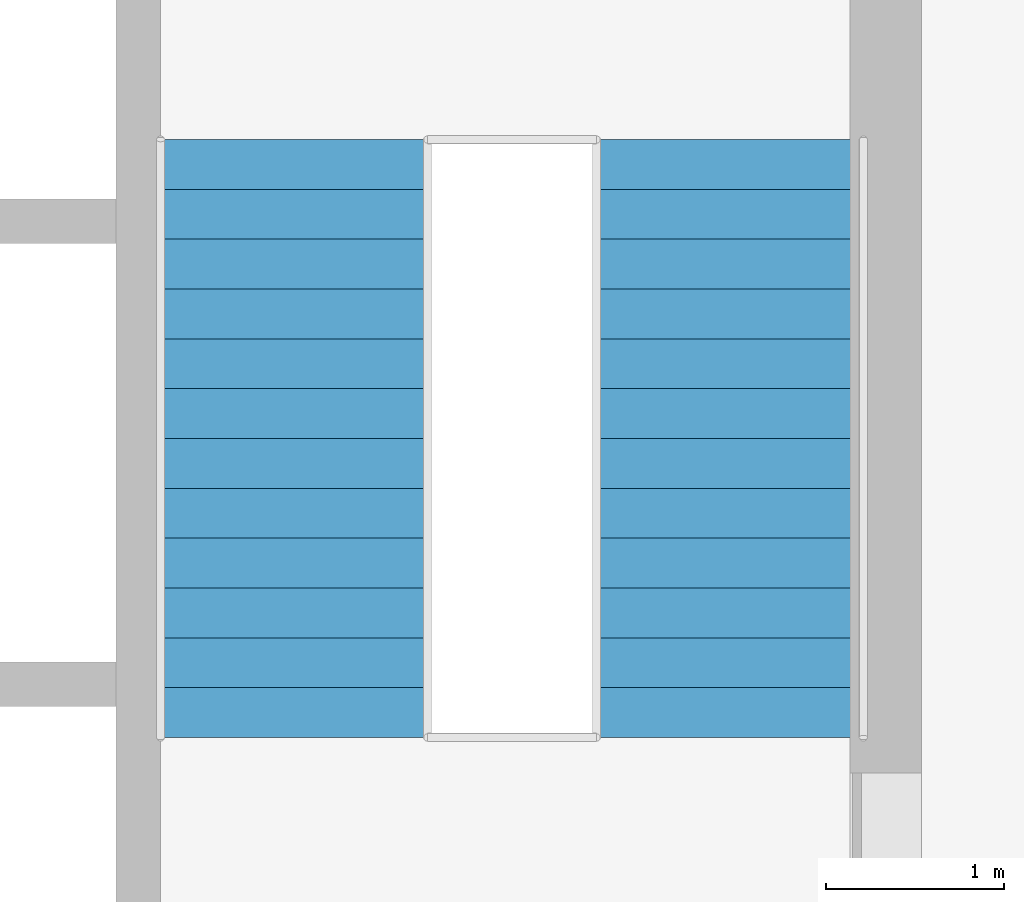
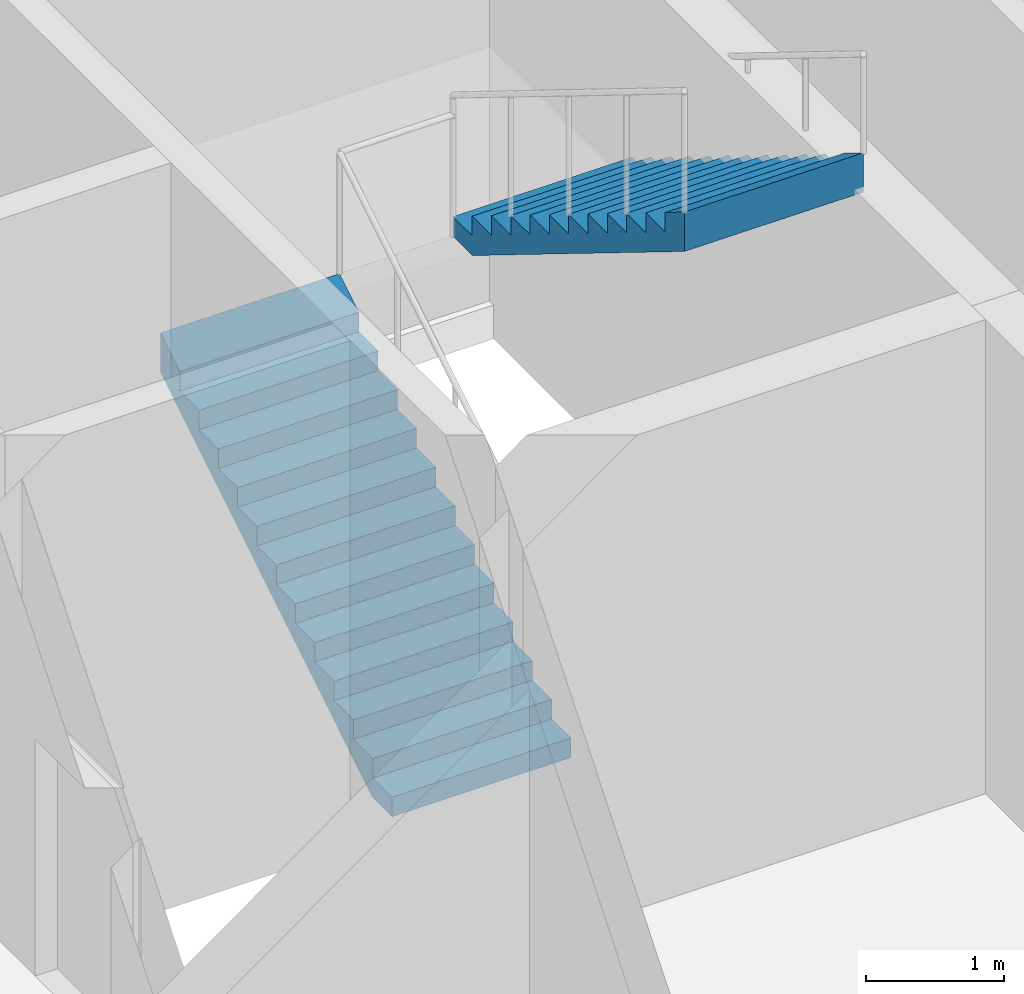
# One storey, part 11 of 13: 2 stair flights, 1 element without a shape of its own.
"""IFC4 building model written with IfcOpenShell, lengths in metres."""

from ifc_helpers import new_model, si_unit, direction, frame, origin, place, context, subcontext, project, spatial, triangles, material, type_object, element, aggregate, save


model = new_model("IFC4")

# Units and contexts
model_context = context("Model", 3, precision=1e-05, world=origin(), true_north=direction((0.0, 1.0)))
body_context = subcontext(model_context, "Body", "Model", "MODEL_VIEW")
ifc_project = project(units=[si_unit("LENGTHUNIT", "METRE"), si_unit("AREAUNIT", "SQUARE_METRE"), si_unit("VOLUMEUNIT", "CUBIC_METRE"), si_unit("PLANEANGLEUNIT", "RADIAN"), si_unit("MASSUNIT", "GRAM", prefix="KILO")], contexts=[model_context])

# Site, building, storey
site_placement = place(None, origin())
site = spatial("IfcSite", under=ifc_project, at=site_placement, CompositionType="ELEMENT")
building_placement = place(site_placement, origin())
building = spatial("IfcBuilding", under=site, at=building_placement, Name="Ludao Terraces", CompositionType="ELEMENT")
storey_placement = place(building_placement, frame((0.0, 0.0, 241.5)))
storey = spatial("IfcBuildingStorey", under=building, at=storey_placement, Name="L66", CompositionType="ELEMENT", Elevation=241.5)

# Stair, stair flights
ifc_material = material(Name="Concrete C40", Category="concrete")
stair_type = type_object("IfcStairType", Name="INT Stair", PredefinedType="HALF_TURN_STAIR", material=ifc_material)
stair_placement = place(storey_placement, origin())
stair = element("IfcStair", 1, at=stair_placement, inside=storey, type_object=stair_type, Name="EXIT STAIR 2", PredefinedType="HALF_TURN_STAIR")
stair_flight_type = type_object("IfcStairFlightType", Name="INT Stair flight", PredefinedType="STRAIGHT", material=ifc_material)
stair_flight_1_placement = place(storey_placement, frame((91.425048828125, 79.0, 0.0), z_axis=(0.0, 0.0, 1.0), x_axis=(0.0, 1.0, 0.0)))
stair_flight_1 = element("IfcStairFlight", 2, at=stair_flight_1_placement, type_object=stair_flight_type, Name="ST2 flight 1", NumberOfRisers=13, NumberOfTreads=12, PredefinedType="STRAIGHT", RiserHeight=0.173077, TreadLength=0.28, context=body_context, shape_type="Tessellation", body=[
    triangles([(0.0, -0.75, 0.0), (0.0, -0.5, 0.0), (0.0, -0.25, 0.0), (0.0, 0.0, 0.0), (0.0, 0.25, 0.0), (0.0, 0.5, 0.0), (0.0, 0.75, 0.0), (0.0, -0.75, 0.173095703125), (0.0, -0.5, 0.173095703125), (0.0, -0.25, 0.173095703125), (0.0, 0.0, 0.173095703125), (0.0, 0.25, 0.173095703125), (0.0, 0.5, 0.173095703125), (0.0, 0.75, 0.173095703125), (0.280029296875, -0.75, 0.173095703125), (0.280029296875, -0.5, 0.173095703125), (0.280029296875, -0.25, 0.173095703125), (0.280029296875, 0.0, 0.173095703125), (0.280029296875, 0.25, 0.173095703125), (0.280029296875, 0.5, 0.173095703125), (0.280029296875, 0.75, 0.173095703125), (0.280029296875, -0.75, 0.34619140625), (0.280029296875, -0.5, 0.34619140625), (0.280029296875, -0.25, 0.34619140625), (0.280029296875, 0.0, 0.34619140625), (0.280029296875, 0.25, 0.34619140625), (0.280029296875, 0.5, 0.34619140625), (0.280029296875, 0.75, 0.34619140625), (0.56005859375, -0.75, 0.34619140625), (0.56005859375, -0.5, 0.34619140625), (0.56005859375, -0.25, 0.34619140625), (0.56005859375, 0.0, 0.34619140625), (0.56005859375, 0.25, 0.34619140625), (0.56005859375, 0.5, 0.34619140625), (0.56005859375, 0.75, 0.34619140625), (0.56005859375, -0.75, 0.519287109375), (0.56005859375, -0.5, 0.519287109375), (0.56005859375, -0.25, 0.519287109375), (0.56005859375, 0.0, 0.519287109375), (0.56005859375, 0.25, 0.519287109375), (0.56005859375, 0.5, 0.519287109375), (0.56005859375, 0.75, 0.519287109375), (0.840087890625, -0.75, 0.519287109375), (0.840087890625, -0.5, 0.519287109375), (0.840087890625, -0.25, 0.519287109375), (0.840087890625, 0.0, 0.519287109375), (0.840087890625, 0.25, 0.519287109375), (0.840087890625, 0.5, 0.519287109375), (0.840087890625, 0.75, 0.519287109375), (0.840087890625, -0.75, 0.6923828125), (0.840087890625, -0.5, 0.6923828125), (0.840087890625, -0.25, 0.6923828125), (0.840087890625, 0.0, 0.6923828125), (0.840087890625, 0.25, 0.6923828125), (0.840087890625, 0.5, 0.6923828125), (0.840087890625, 0.75, 0.6923828125), (1.1201171875, -0.75, 0.6923828125), (1.1201171875, -0.5, 0.6923828125), (1.1201171875, -0.25, 0.6923828125), (1.1201171875, 0.0, 0.6923828125), (1.1201171875, 0.25, 0.6923828125), (1.1201171875, 0.5, 0.6923828125), (1.1201171875, 0.75, 0.6923828125), (1.1201171875, -0.75, 0.865478515625), (1.1201171875, -0.5, 0.865478515625), (1.1201171875, -0.25, 0.865478515625), (1.1201171875, 0.0, 0.865478515625), (1.1201171875, 0.25, 0.865478515625), (1.1201171875, 0.5, 0.865478515625), (1.1201171875, 0.75, 0.865478515625), (1.39990234375, -0.75, 0.865478515625), (1.39990234375, -0.5, 0.865478515625), (1.39990234375, -0.25, 0.865478515625), (1.39990234375, 0.0, 0.865478515625), (1.39990234375, 0.25, 0.865478515625), (1.39990234375, 0.5, 0.865478515625), (1.39990234375, 0.75, 0.865478515625), (1.39990234375, -0.75, 1.03857421875), (1.39990234375, -0.5, 1.03857421875), (1.39990234375, -0.25, 1.03857421875), (1.39990234375, 0.0, 1.03857421875), (1.39990234375, 0.25, 1.03857421875), (1.39990234375, 0.5, 1.03857421875), (1.39990234375, 0.75, 1.03857421875), (1.679931640625, -0.75, 1.03857421875), (1.679931640625, -0.5, 1.03857421875), (1.679931640625, -0.25, 1.03857421875), (1.679931640625, 0.0, 1.03857421875), (1.679931640625, 0.25, 1.03857421875), (1.679931640625, 0.5, 1.03857421875), (1.679931640625, 0.75, 1.03857421875), (1.679931640625, -0.75, 1.21142578125), (1.679931640625, -0.5, 1.21142578125), (1.679931640625, -0.25, 1.21142578125), (1.679931640625, 0.0, 1.21142578125), (1.679931640625, 0.25, 1.21142578125), (1.679931640625, 0.5, 1.21142578125), (1.679931640625, 0.75, 1.21142578125), (1.9599609375, -0.75, 1.21142578125), (1.9599609375, -0.5, 1.21142578125), (1.9599609375, -0.25, 1.21142578125), (1.9599609375, 0.0, 1.21142578125), (1.9599609375, 0.25, 1.21142578125), (1.9599609375, 0.5, 1.21142578125), (1.9599609375, 0.75, 1.21142578125), (1.9599609375, -0.75, 1.384521484375), (1.9599609375, -0.5, 1.384521484375), (1.9599609375, -0.25, 1.384521484375), (1.9599609375, 0.0, 1.384521484375), (1.9599609375, 0.25, 1.384521484375), (1.9599609375, 0.5, 1.384521484375), (1.9599609375, 0.75, 1.384521484375), (2.239990234375, -0.75, 1.384521484375), (2.239990234375, -0.5, 1.384521484375), (2.239990234375, -0.25, 1.384521484375), (2.239990234375, 0.0, 1.384521484375), (2.239990234375, 0.25, 1.384521484375), (2.239990234375, 0.5, 1.384521484375), (2.239990234375, 0.75, 1.384521484375), (2.239990234375, -0.75, 1.5576171875), (2.239990234375, -0.5, 1.5576171875), (2.239990234375, -0.25, 1.5576171875), (2.239990234375, 0.0, 1.5576171875), (2.239990234375, 0.25, 1.5576171875), (2.239990234375, 0.5, 1.5576171875), (2.239990234375, 0.75, 1.5576171875), (2.52001953125, -0.75, 1.5576171875), (2.52001953125, -0.5, 1.5576171875), (2.52001953125, -0.25, 1.5576171875), (2.52001953125, 0.0, 1.5576171875), (2.52001953125, 0.25, 1.5576171875), (2.52001953125, 0.5, 1.5576171875), (2.52001953125, 0.75, 1.5576171875), (2.52001953125, -0.75, 1.730712890625), (2.52001953125, -0.5, 1.730712890625), (2.52001953125, -0.25, 1.730712890625), (2.52001953125, 0.0, 1.730712890625), (2.52001953125, 0.25, 1.730712890625), (2.52001953125, 0.5, 1.730712890625), (2.52001953125, 0.75, 1.730712890625), (2.800048828125, -0.75, 1.730712890625), (2.800048828125, -0.5, 1.730712890625), (2.800048828125, -0.25, 1.730712890625), (2.800048828125, 0.0, 1.730712890625), (2.800048828125, 0.25, 1.730712890625), (2.800048828125, 0.5, 1.730712890625), (2.800048828125, 0.75, 1.730712890625), (2.800048828125, -0.75, 1.90380859375), (2.800048828125, -0.5, 1.90380859375), (2.800048828125, -0.25, 1.90380859375), (2.800048828125, 0.0, 1.90380859375), (2.800048828125, 0.25, 1.90380859375), (2.800048828125, 0.5, 1.90380859375), (2.800048828125, 0.75, 1.90380859375), (3.080078125, -0.75, 1.90380859375), (3.080078125, -0.5, 1.90380859375), (3.080078125, -0.25, 1.90380859375), (3.080078125, 0.0, 1.90380859375), (3.080078125, 0.25, 1.90380859375), (3.080078125, 0.5, 1.90380859375), (3.080078125, 0.75, 1.90380859375), (3.080078125, -0.75, 2.076904296875), (3.080078125, -0.5, 2.076904296875), (3.080078125, -0.25, 2.076904296875), (3.080078125, 0.0, 2.076904296875), (3.080078125, 0.25, 2.076904296875), (3.080078125, 0.5, 2.076904296875), (3.080078125, 0.75, 2.076904296875), (3.360107421875, -0.75, 2.25), (3.360107421875, -0.5, 2.25), (3.360107421875, -0.25, 2.25), (3.360107421875, 0.0, 2.25), (3.360107421875, 0.25, 2.25), (3.360107421875, 0.5, 2.25), (3.360107421875, 0.75, 2.25), (3.360107421875, -0.75, 1.900634765625), (3.360107421875, -0.5, 1.900634765625), (3.360107421875, -0.25, 1.900634765625), (3.360107421875, 0.0, 1.900634765625), (3.360107421875, 0.25, 1.900634765625), (3.360107421875, 0.5, 1.900634765625), (3.360107421875, 0.75, 1.900634765625), (0.28515625, -0.75, 0.0), (0.28515625, -0.5, 0.0), (0.28515625, -0.25, 0.0), (0.28515625, 0.0, 0.0), (0.28515625, 0.25, 0.0), (0.28515625, 0.5, 0.0), (0.28515625, 0.75, 0.0)], [[1, 183, 176], [7, 182, 189], [176, 169, 162], [182, 168, 175], [176, 162, 155], [182, 161, 168], [176, 155, 148], [182, 154, 161], [176, 148, 141], [182, 147, 154], [141, 134, 127], [147, 133, 140], [176, 141, 127], [182, 133, 147], [127, 120, 113], [133, 119, 126], [176, 127, 113], [182, 119, 133], [113, 106, 99], [119, 105, 112], [176, 113, 99], [182, 105, 119], [1, 176, 99], [7, 105, 182], [99, 92, 85], [105, 91, 98], [85, 78, 71], [91, 77, 84], [99, 85, 71], [105, 77, 91], [71, 64, 57], [77, 63, 70], [99, 71, 57], [105, 63, 77], [57, 50, 43], [63, 49, 56], [99, 57, 43], [105, 49, 63], [43, 36, 29], [49, 35, 42], [99, 43, 29], [105, 35, 49], [29, 22, 15], [35, 21, 28], [99, 29, 15], [105, 21, 35], [1, 99, 15], [7, 21, 105], [15, 8, 1], [21, 7, 14], [1, 9, 2], [1, 8, 9], [2, 10, 3], [2, 9, 10], [3, 11, 4], [3, 10, 11], [4, 12, 5], [4, 11, 12], [5, 13, 6], [5, 12, 13], [6, 14, 7], [6, 13, 14], [8, 16, 9], [8, 15, 16], [9, 17, 10], [9, 16, 17], [10, 18, 11], [10, 17, 18], [11, 19, 12], [11, 18, 19], [12, 20, 13], [12, 19, 20], [13, 21, 14], [13, 20, 21], [15, 23, 16], [15, 22, 23], [16, 24, 17], [16, 23, 24], [17, 25, 18], [17, 24, 25], [18, 26, 19], [18, 25, 26], [19, 27, 20], [19, 26, 27], [20, 28, 21], [20, 27, 28], [22, 30, 23], [22, 29, 30], [23, 31, 24], [23, 30, 31], [24, 32, 25], [24, 31, 32], [25, 33, 26], [25, 32, 33], [26, 34, 27], [26, 33, 34], [27, 35, 28], [27, 34, 35], [29, 37, 30], [29, 36, 37], [30, 38, 31], [30, 37, 38], [31, 39, 32], [31, 38, 39], [32, 40, 33], [32, 39, 40], [33, 41, 34], [33, 40, 41], [34, 42, 35], [34, 41, 42], [36, 44, 37], [36, 43, 44], [37, 45, 38], [37, 44, 45], [38, 46, 39], [38, 45, 46], [39, 47, 40], [39, 46, 47], [40, 48, 41], [40, 47, 48], [41, 49, 42], [41, 48, 49], [43, 51, 44], [43, 50, 51], [44, 52, 45], [44, 51, 52], [45, 53, 46], [45, 52, 53], [46, 54, 47], [46, 53, 54], [47, 55, 48], [47, 54, 55], [48, 56, 49], [48, 55, 56], [50, 58, 51], [50, 57, 58], [51, 59, 52], [51, 58, 59], [52, 60, 53], [52, 59, 60], [53, 61, 54], [53, 60, 61], [54, 62, 55], [54, 61, 62], [55, 63, 56], [55, 62, 63], [57, 65, 58], [57, 64, 65], [58, 66, 59], [58, 65, 66], [59, 67, 60], [59, 66, 67], [60, 68, 61], [60, 67, 68], [61, 69, 62], [61, 68, 69], [62, 70, 63], [62, 69, 70], [64, 72, 65], [64, 71, 72], [65, 73, 66], [65, 72, 73], [66, 74, 67], [66, 73, 74], [67, 75, 68], [67, 74, 75], [68, 76, 69], [68, 75, 76], [69, 77, 70], [69, 76, 77], [71, 79, 72], [71, 78, 79], [72, 80, 73], [72, 79, 80], [73, 81, 74], [73, 80, 81], [74, 82, 75], [74, 81, 82], [75, 83, 76], [75, 82, 83], [76, 84, 77], [76, 83, 84], [78, 86, 79], [78, 85, 86], [79, 87, 80], [79, 86, 87], [80, 88, 81], [80, 87, 88], [81, 89, 82], [81, 88, 89], [82, 90, 83], [82, 89, 90], [83, 91, 84], [83, 90, 91], [85, 93, 86], [85, 92, 93], [86, 94, 87], [86, 93, 94], [87, 95, 88], [87, 94, 95], [88, 96, 89], [88, 95, 96], [89, 97, 90], [89, 96, 97], [90, 98, 91], [90, 97, 98], [92, 100, 93], [92, 99, 100], [93, 101, 94], [93, 100, 101], [94, 102, 95], [94, 101, 102], [95, 103, 96], [95, 102, 103], [96, 104, 97], [96, 103, 104], [97, 105, 98], [97, 104, 105], [99, 107, 100], [99, 106, 107], [100, 108, 101], [100, 107, 108], [101, 109, 102], [101, 108, 109], [102, 110, 103], [102, 109, 110], [103, 111, 104], [103, 110, 111], [104, 112, 105], [104, 111, 112], [106, 114, 107], [106, 113, 114], [107, 115, 108], [107, 114, 115], [108, 116, 109], [108, 115, 116], [109, 117, 110], [109, 116, 117], [110, 118, 111], [110, 117, 118], [111, 119, 112], [111, 118, 119], [113, 121, 114], [113, 120, 121], [114, 122, 115], [114, 121, 122], [115, 123, 116], [115, 122, 123], [116, 124, 117], [116, 123, 124], [117, 125, 118], [117, 124, 125], [118, 126, 119], [118, 125, 126], [120, 128, 121], [120, 127, 128], [121, 129, 122], [121, 128, 129], [122, 130, 123], [122, 129, 130], [123, 131, 124], [123, 130, 131], [124, 132, 125], [124, 131, 132], [125, 133, 126], [125, 132, 133], [127, 135, 128], [127, 134, 135], [128, 136, 129], [128, 135, 136], [129, 137, 130], [129, 136, 137], [130, 138, 131], [130, 137, 138], [131, 139, 132], [131, 138, 139], [132, 140, 133], [132, 139, 140], [134, 142, 135], [134, 141, 142], [135, 143, 136], [135, 142, 143], [136, 144, 137], [136, 143, 144], [137, 145, 138], [137, 144, 145], [138, 146, 139], [138, 145, 146], [139, 147, 140], [139, 146, 147], [141, 149, 142], [141, 148, 149], [142, 150, 143], [142, 149, 150], [143, 151, 144], [143, 150, 151], [144, 152, 145], [144, 151, 152], [145, 153, 146], [145, 152, 153], [146, 154, 147], [146, 153, 154], [148, 156, 149], [148, 155, 156], [149, 157, 150], [149, 156, 157], [150, 158, 151], [150, 157, 158], [151, 159, 152], [151, 158, 159], [152, 160, 153], [152, 159, 160], [153, 161, 154], [153, 160, 161], [155, 163, 156], [155, 162, 163], [156, 164, 157], [156, 163, 164], [157, 165, 158], [157, 164, 165], [158, 166, 159], [158, 165, 166], [159, 167, 160], [159, 166, 167], [160, 168, 161], [160, 167, 168], [162, 170, 163], [162, 169, 170], [163, 171, 164], [163, 170, 171], [164, 172, 165], [164, 171, 172], [165, 173, 166], [165, 172, 173], [166, 174, 167], [166, 173, 174], [167, 175, 168], [167, 174, 175], [169, 177, 170], [169, 176, 177], [170, 178, 171], [170, 177, 178], [171, 179, 172], [171, 178, 179], [172, 180, 173], [172, 179, 180], [173, 181, 174], [173, 180, 181], [174, 182, 175], [174, 181, 182], [176, 184, 177], [176, 183, 184], [177, 185, 178], [177, 184, 185], [178, 186, 179], [178, 185, 186], [179, 187, 180], [179, 186, 187], [180, 188, 181], [180, 187, 188], [181, 189, 182], [181, 188, 189], [183, 2, 184], [183, 1, 2], [184, 3, 185], [184, 2, 3], [185, 4, 186], [185, 3, 4], [186, 5, 187], [186, 4, 5], [187, 6, 188], [187, 5, 6], [188, 7, 189], [188, 6, 7]], closed=True),
])
stair_flight_2_placement = place(storey_placement, frame((93.875, 82.360107421875, 2.25), z_axis=(0.0, 0.0, 1.0), x_axis=(0.0, -1.0, 0.0)))
stair_flight_2 = element("IfcStairFlight", 3, at=stair_flight_2_placement, type_object=stair_flight_type, Name="ST2 flight 2", NumberOfRisers=13, NumberOfTreads=12, PredefinedType="STRAIGHT", RiserHeight=0.173077, TreadLength=0.28, context=body_context, shape_type="Tessellation", body=[
    triangles([(0.0, -0.75, 0.0), (0.0, -0.5, 0.0), (0.0, -0.25, 0.0), (0.0, 0.0, 0.0), (0.0, 0.25, 0.0), (0.0, 0.5, 0.0), (0.0, 0.75, 0.0), (0.0, -0.75, 0.173095703125), (0.0, -0.5, 0.173095703125), (0.0, -0.25, 0.173095703125), (0.0, 0.0, 0.173095703125), (0.0, 0.25, 0.173095703125), (0.0, 0.5, 0.173095703125), (0.0, 0.75, 0.173095703125), (0.280029296875, -0.75, 0.173095703125), (0.280029296875, -0.5, 0.173095703125), (0.280029296875, -0.25, 0.173095703125), (0.280029296875, 0.0, 0.173095703125), (0.280029296875, 0.25, 0.173095703125), (0.280029296875, 0.5, 0.173095703125), (0.280029296875, 0.75, 0.173095703125), (0.280029296875, -0.75, 0.34619140625), (0.280029296875, -0.5, 0.34619140625), (0.280029296875, -0.25, 0.34619140625), (0.280029296875, 0.0, 0.34619140625), (0.280029296875, 0.25, 0.34619140625), (0.280029296875, 0.5, 0.34619140625), (0.280029296875, 0.75, 0.34619140625), (0.56005859375, -0.75, 0.34619140625), (0.56005859375, -0.5, 0.34619140625), (0.56005859375, -0.25, 0.34619140625), (0.56005859375, 0.0, 0.34619140625), (0.56005859375, 0.25, 0.34619140625), (0.56005859375, 0.5, 0.34619140625), (0.56005859375, 0.75, 0.34619140625), (0.56005859375, -0.75, 0.519287109375), (0.56005859375, -0.5, 0.519287109375), (0.56005859375, -0.25, 0.519287109375), (0.56005859375, 0.0, 0.519287109375), (0.56005859375, 0.25, 0.519287109375), (0.56005859375, 0.5, 0.519287109375), (0.56005859375, 0.75, 0.519287109375), (0.840087890625, -0.75, 0.519287109375), (0.840087890625, -0.5, 0.519287109375), (0.840087890625, -0.25, 0.519287109375), (0.840087890625, 0.0, 0.519287109375), (0.840087890625, 0.25, 0.519287109375), (0.840087890625, 0.5, 0.519287109375), (0.840087890625, 0.75, 0.519287109375), (0.840087890625, -0.75, 0.6923828125), (0.840087890625, -0.5, 0.6923828125), (0.840087890625, -0.25, 0.6923828125), (0.840087890625, 0.0, 0.6923828125), (0.840087890625, 0.25, 0.6923828125), (0.840087890625, 0.5, 0.6923828125), (0.840087890625, 0.75, 0.6923828125), (1.1201171875, -0.75, 0.6923828125), (1.1201171875, -0.5, 0.6923828125), (1.1201171875, -0.25, 0.6923828125), (1.1201171875, 0.0, 0.6923828125), (1.1201171875, 0.25, 0.6923828125), (1.1201171875, 0.5, 0.6923828125), (1.1201171875, 0.75, 0.6923828125), (1.1201171875, -0.75, 0.865478515625), (1.1201171875, -0.5, 0.865478515625), (1.1201171875, -0.25, 0.865478515625), (1.1201171875, 0.0, 0.865478515625), (1.1201171875, 0.25, 0.865478515625), (1.1201171875, 0.5, 0.865478515625), (1.1201171875, 0.75, 0.865478515625), (1.39990234375, -0.75, 0.865478515625), (1.39990234375, -0.5, 0.865478515625), (1.39990234375, -0.25, 0.865478515625), (1.39990234375, 0.0, 0.865478515625), (1.39990234375, 0.25, 0.865478515625), (1.39990234375, 0.5, 0.865478515625), (1.39990234375, 0.75, 0.865478515625), (1.39990234375, -0.75, 1.03857421875), (1.39990234375, -0.5, 1.03857421875), (1.39990234375, -0.25, 1.03857421875), (1.39990234375, 0.0, 1.03857421875), (1.39990234375, 0.25, 1.03857421875), (1.39990234375, 0.5, 1.03857421875), (1.39990234375, 0.75, 1.03857421875), (1.679931640625, -0.75, 1.03857421875), (1.679931640625, -0.5, 1.03857421875), (1.679931640625, -0.25, 1.03857421875), (1.679931640625, 0.0, 1.03857421875), (1.679931640625, 0.25, 1.03857421875), (1.679931640625, 0.5, 1.03857421875), (1.679931640625, 0.75, 1.03857421875), (1.679931640625, -0.75, 1.21142578125), (1.679931640625, -0.5, 1.21142578125), (1.679931640625, -0.25, 1.21142578125), (1.679931640625, 0.0, 1.21142578125), (1.679931640625, 0.25, 1.21142578125), (1.679931640625, 0.5, 1.21142578125), (1.679931640625, 0.75, 1.21142578125), (1.9599609375, -0.75, 1.21142578125), (1.9599609375, -0.5, 1.21142578125), (1.9599609375, -0.25, 1.21142578125), (1.9599609375, 0.0, 1.21142578125), (1.9599609375, 0.25, 1.21142578125), (1.9599609375, 0.5, 1.21142578125), (1.9599609375, 0.75, 1.21142578125), (1.9599609375, -0.75, 1.384521484375), (1.9599609375, -0.5, 1.384521484375), (1.9599609375, -0.25, 1.384521484375), (1.9599609375, 0.0, 1.384521484375), (1.9599609375, 0.25, 1.384521484375), (1.9599609375, 0.5, 1.384521484375), (1.9599609375, 0.75, 1.384521484375), (2.239990234375, -0.75, 1.384521484375), (2.239990234375, -0.5, 1.384521484375), (2.239990234375, -0.25, 1.384521484375), (2.239990234375, 0.0, 1.384521484375), (2.239990234375, 0.25, 1.384521484375), (2.239990234375, 0.5, 1.384521484375), (2.239990234375, 0.75, 1.384521484375), (2.239990234375, -0.75, 1.5576171875), (2.239990234375, -0.5, 1.5576171875), (2.239990234375, -0.25, 1.5576171875), (2.239990234375, 0.0, 1.5576171875), (2.239990234375, 0.25, 1.5576171875), (2.239990234375, 0.5, 1.5576171875), (2.239990234375, 0.75, 1.5576171875), (2.52001953125, -0.75, 1.5576171875), (2.52001953125, -0.5, 1.5576171875), (2.52001953125, -0.25, 1.5576171875), (2.52001953125, 0.0, 1.5576171875), (2.52001953125, 0.25, 1.5576171875), (2.52001953125, 0.5, 1.5576171875), (2.52001953125, 0.75, 1.5576171875), (2.52001953125, -0.75, 1.730712890625), (2.52001953125, -0.5, 1.730712890625), (2.52001953125, -0.25, 1.730712890625), (2.52001953125, 0.0, 1.730712890625), (2.52001953125, 0.25, 1.730712890625), (2.52001953125, 0.5, 1.730712890625), (2.52001953125, 0.75, 1.730712890625), (2.800048828125, -0.75, 1.730712890625), (2.800048828125, -0.5, 1.730712890625), (2.800048828125, -0.25, 1.730712890625), (2.800048828125, 0.0, 1.730712890625), (2.800048828125, 0.25, 1.730712890625), (2.800048828125, 0.5, 1.730712890625), (2.800048828125, 0.75, 1.730712890625), (2.800048828125, -0.75, 1.90380859375), (2.800048828125, -0.5, 1.90380859375), (2.800048828125, -0.25, 1.90380859375), (2.800048828125, 0.0, 1.90380859375), (2.800048828125, 0.25, 1.90380859375), (2.800048828125, 0.5, 1.90380859375), (2.800048828125, 0.75, 1.90380859375), (3.080078125, -0.75, 1.90380859375), (3.080078125, -0.5, 1.90380859375), (3.080078125, -0.25, 1.90380859375), (3.080078125, 0.0, 1.90380859375), (3.080078125, 0.25, 1.90380859375), (3.080078125, 0.5, 1.90380859375), (3.080078125, 0.75, 1.90380859375), (3.080078125, -0.75, 2.076904296875), (3.080078125, -0.5, 2.076904296875), (3.080078125, -0.25, 2.076904296875), (3.080078125, 0.0, 2.076904296875), (3.080078125, 0.25, 2.076904296875), (3.080078125, 0.5, 2.076904296875), (3.080078125, 0.75, 2.076904296875), (3.360107421875, -0.75, 2.25), (3.360107421875, -0.5, 2.25), (3.360107421875, -0.25, 2.25), (3.360107421875, 0.0, 2.25), (3.360107421875, 0.25, 2.25), (3.360107421875, 0.5, 2.25), (3.360107421875, 0.75, 2.25), (3.360107421875, -0.75, 1.900634765625), (3.360107421875, -0.5, 1.900634765625), (3.360107421875, -0.25, 1.900634765625), (3.360107421875, 0.0, 1.900634765625), (3.360107421875, 0.25, 1.900634765625), (3.360107421875, 0.5, 1.900634765625), (3.360107421875, 0.75, 1.900634765625), (0.28515625, -0.75, 0.0), (0.28515625, -0.5, 0.0), (0.28515625, -0.25, 0.0), (0.28515625, 0.0, 0.0), (0.28515625, 0.25, 0.0), (0.28515625, 0.5, 0.0), (0.28515625, 0.75, 0.0)], [[1, 183, 176], [7, 182, 189], [176, 169, 162], [182, 168, 175], [176, 162, 155], [182, 161, 168], [176, 155, 148], [182, 154, 161], [176, 148, 141], [182, 147, 154], [141, 134, 127], [147, 133, 140], [176, 141, 127], [182, 133, 147], [127, 120, 113], [133, 119, 126], [176, 127, 113], [182, 119, 133], [113, 106, 99], [119, 105, 112], [176, 113, 99], [182, 105, 119], [1, 176, 99], [7, 105, 182], [99, 92, 85], [105, 91, 98], [85, 78, 71], [91, 77, 84], [99, 85, 71], [105, 77, 91], [71, 64, 57], [77, 63, 70], [99, 71, 57], [105, 63, 77], [57, 50, 43], [63, 49, 56], [99, 57, 43], [105, 49, 63], [43, 36, 29], [49, 35, 42], [99, 43, 29], [105, 35, 49], [29, 22, 15], [35, 21, 28], [99, 29, 15], [105, 21, 35], [1, 99, 15], [7, 21, 105], [15, 8, 1], [21, 7, 14], [1, 9, 2], [1, 8, 9], [2, 10, 3], [2, 9, 10], [3, 11, 4], [3, 10, 11], [4, 12, 5], [4, 11, 12], [5, 13, 6], [5, 12, 13], [6, 14, 7], [6, 13, 14], [8, 16, 9], [8, 15, 16], [9, 17, 10], [9, 16, 17], [10, 18, 11], [10, 17, 18], [11, 19, 12], [11, 18, 19], [12, 20, 13], [12, 19, 20], [13, 21, 14], [13, 20, 21], [15, 23, 16], [15, 22, 23], [16, 24, 17], [16, 23, 24], [17, 25, 18], [17, 24, 25], [18, 26, 19], [18, 25, 26], [19, 27, 20], [19, 26, 27], [20, 28, 21], [20, 27, 28], [22, 30, 23], [22, 29, 30], [23, 31, 24], [23, 30, 31], [24, 32, 25], [24, 31, 32], [25, 33, 26], [25, 32, 33], [26, 34, 27], [26, 33, 34], [27, 35, 28], [27, 34, 35], [29, 37, 30], [29, 36, 37], [30, 38, 31], [30, 37, 38], [31, 39, 32], [31, 38, 39], [32, 40, 33], [32, 39, 40], [33, 41, 34], [33, 40, 41], [34, 42, 35], [34, 41, 42], [36, 44, 37], [36, 43, 44], [37, 45, 38], [37, 44, 45], [38, 46, 39], [38, 45, 46], [39, 47, 40], [39, 46, 47], [40, 48, 41], [40, 47, 48], [41, 49, 42], [41, 48, 49], [43, 51, 44], [43, 50, 51], [44, 52, 45], [44, 51, 52], [45, 53, 46], [45, 52, 53], [46, 54, 47], [46, 53, 54], [47, 55, 48], [47, 54, 55], [48, 56, 49], [48, 55, 56], [50, 58, 51], [50, 57, 58], [51, 59, 52], [51, 58, 59], [52, 60, 53], [52, 59, 60], [53, 61, 54], [53, 60, 61], [54, 62, 55], [54, 61, 62], [55, 63, 56], [55, 62, 63], [57, 65, 58], [57, 64, 65], [58, 66, 59], [58, 65, 66], [59, 67, 60], [59, 66, 67], [60, 68, 61], [60, 67, 68], [61, 69, 62], [61, 68, 69], [62, 70, 63], [62, 69, 70], [64, 72, 65], [64, 71, 72], [65, 73, 66], [65, 72, 73], [66, 74, 67], [66, 73, 74], [67, 75, 68], [67, 74, 75], [68, 76, 69], [68, 75, 76], [69, 77, 70], [69, 76, 77], [71, 79, 72], [71, 78, 79], [72, 80, 73], [72, 79, 80], [73, 81, 74], [73, 80, 81], [74, 82, 75], [74, 81, 82], [75, 83, 76], [75, 82, 83], [76, 84, 77], [76, 83, 84], [78, 86, 79], [78, 85, 86], [79, 87, 80], [79, 86, 87], [80, 88, 81], [80, 87, 88], [81, 89, 82], [81, 88, 89], [82, 90, 83], [82, 89, 90], [83, 91, 84], [83, 90, 91], [85, 93, 86], [85, 92, 93], [86, 94, 87], [86, 93, 94], [87, 95, 88], [87, 94, 95], [88, 96, 89], [88, 95, 96], [89, 97, 90], [89, 96, 97], [90, 98, 91], [90, 97, 98], [92, 100, 93], [92, 99, 100], [93, 101, 94], [93, 100, 101], [94, 102, 95], [94, 101, 102], [95, 103, 96], [95, 102, 103], [96, 104, 97], [96, 103, 104], [97, 105, 98], [97, 104, 105], [99, 107, 100], [99, 106, 107], [100, 108, 101], [100, 107, 108], [101, 109, 102], [101, 108, 109], [102, 110, 103], [102, 109, 110], [103, 111, 104], [103, 110, 111], [104, 112, 105], [104, 111, 112], [106, 114, 107], [106, 113, 114], [107, 115, 108], [107, 114, 115], [108, 116, 109], [108, 115, 116], [109, 117, 110], [109, 116, 117], [110, 118, 111], [110, 117, 118], [111, 119, 112], [111, 118, 119], [113, 121, 114], [113, 120, 121], [114, 122, 115], [114, 121, 122], [115, 123, 116], [115, 122, 123], [116, 124, 117], [116, 123, 124], [117, 125, 118], [117, 124, 125], [118, 126, 119], [118, 125, 126], [120, 128, 121], [120, 127, 128], [121, 129, 122], [121, 128, 129], [122, 130, 123], [122, 129, 130], [123, 131, 124], [123, 130, 131], [124, 132, 125], [124, 131, 132], [125, 133, 126], [125, 132, 133], [127, 135, 128], [127, 134, 135], [128, 136, 129], [128, 135, 136], [129, 137, 130], [129, 136, 137], [130, 138, 131], [130, 137, 138], [131, 139, 132], [131, 138, 139], [132, 140, 133], [132, 139, 140], [134, 142, 135], [134, 141, 142], [135, 143, 136], [135, 142, 143], [136, 144, 137], [136, 143, 144], [137, 145, 138], [137, 144, 145], [138, 146, 139], [138, 145, 146], [139, 147, 140], [139, 146, 147], [141, 149, 142], [141, 148, 149], [142, 150, 143], [142, 149, 150], [143, 151, 144], [143, 150, 151], [144, 152, 145], [144, 151, 152], [145, 153, 146], [145, 152, 153], [146, 154, 147], [146, 153, 154], [148, 156, 149], [148, 155, 156], [149, 157, 150], [149, 156, 157], [150, 158, 151], [150, 157, 158], [151, 159, 152], [151, 158, 159], [152, 160, 153], [152, 159, 160], [153, 161, 154], [153, 160, 161], [155, 163, 156], [155, 162, 163], [156, 164, 157], [156, 163, 164], [157, 165, 158], [157, 164, 165], [158, 166, 159], [158, 165, 166], [159, 167, 160], [159, 166, 167], [160, 168, 161], [160, 167, 168], [162, 170, 163], [162, 169, 170], [163, 171, 164], [163, 170, 171], [164, 172, 165], [164, 171, 172], [165, 173, 166], [165, 172, 173], [166, 174, 167], [166, 173, 174], [167, 175, 168], [167, 174, 175], [169, 177, 170], [169, 176, 177], [170, 178, 171], [170, 177, 178], [171, 179, 172], [171, 178, 179], [172, 180, 173], [172, 179, 180], [173, 181, 174], [173, 180, 181], [174, 182, 175], [174, 181, 182], [176, 184, 177], [176, 183, 184], [177, 185, 178], [177, 184, 185], [178, 186, 179], [178, 185, 186], [179, 187, 180], [179, 186, 187], [180, 188, 181], [180, 187, 188], [181, 189, 182], [181, 188, 189], [183, 2, 184], [183, 1, 2], [184, 3, 185], [184, 2, 3], [185, 4, 186], [185, 3, 4], [186, 5, 187], [186, 4, 5], [187, 6, 188], [187, 5, 6], [188, 7, 189], [188, 6, 7]], closed=True),
])
aggregate(stair, [stair_flight_1, stair_flight_2])

save(model, "model.ifc")
